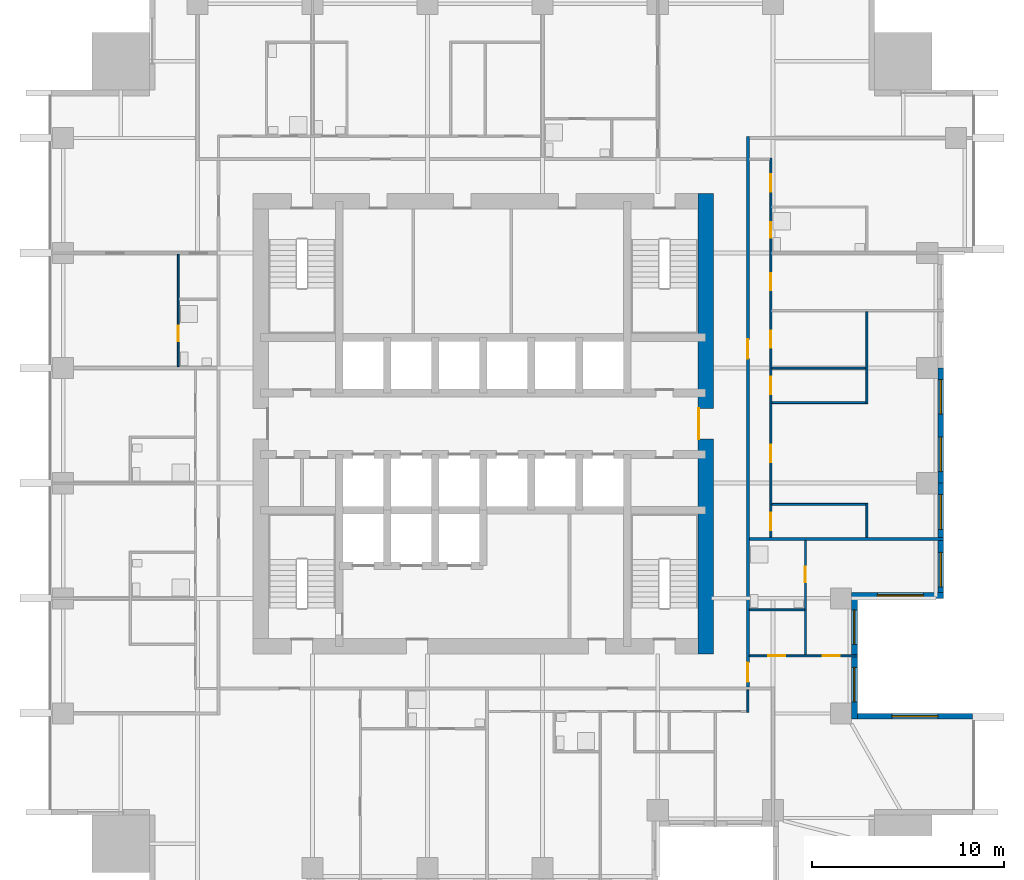
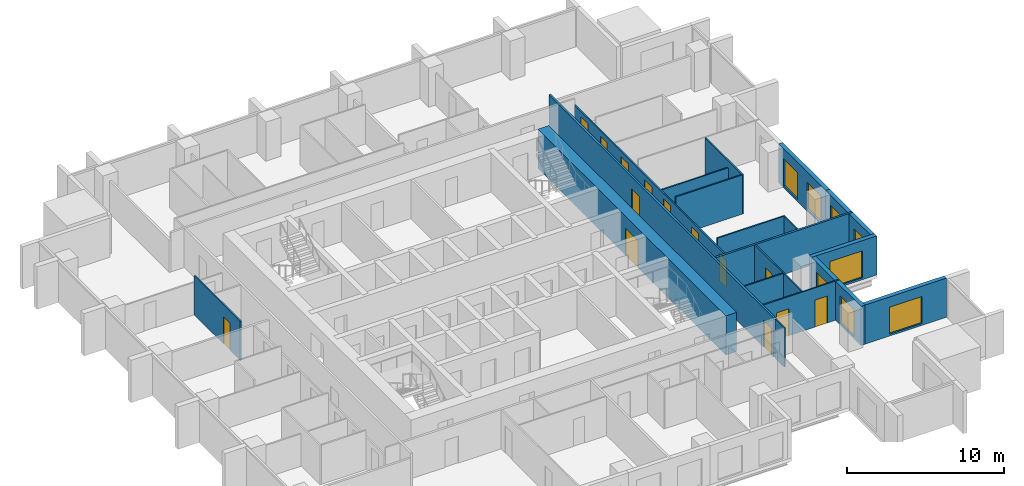
# One storey, part 6 of 10: 19 walls, 14 doors, 8 windows, 22 openings.
"""IFC4 building model written with IfcOpenShell, lengths in metres."""

from ifc_helpers import new_model, si_unit, direction, frame, frame_2d, origin, place, context, subcontext, project, spatial, rectangle, extrude, material, layer, layer_set, type_object, element, fill, save


model = new_model("IFC4")

# Units and contexts
model_context = context("Model", 3, precision=1e-05, world=origin(), true_north=direction((0.0, 1.0)))
body_context = subcontext(model_context, "Body", "Model", "MODEL_VIEW")
ifc_project = project(units=[si_unit("LENGTHUNIT", "METRE"), si_unit("AREAUNIT", "SQUARE_METRE"), si_unit("VOLUMEUNIT", "CUBIC_METRE"), si_unit("PLANEANGLEUNIT", "RADIAN"), si_unit("MASSUNIT", "GRAM", prefix="KILO")], contexts=[model_context])

# Site, building, storey
site_placement = place(None, origin())
site = spatial("IfcSite", under=ifc_project, at=site_placement, CompositionType="ELEMENT")
building_placement = place(site_placement, origin())
building = spatial("IfcBuilding", under=site, at=building_placement, Name="Amberfall Residences", CompositionType="ELEMENT")
storey_placement = place(building_placement, frame((0.0, 0.0, 82.0)))
storey = spatial("IfcBuildingStorey", under=building, at=storey_placement, Name="L21", CompositionType="ELEMENT", Elevation=82.0)

# Wall, opening, window
ifc_material_1 = material(Name="Pale stone cladding on insulated backing", Category="masonry")
ifc_layer_1 = layer(ifc_material_1, 0.300048828125)
ifc_layer_set_1 = layer_set([ifc_layer_1], Name="Bronze clad wall 300")
wall_type_1 = type_object("IfcWallType", Name="Bronze clad wall 300", PredefinedType="SOLIDWALL", material=ifc_layer_set_1)
wall_1_placement = place(storey_placement, frame((100.0, 30.25, 0.0), z_axis=(0.0, 0.0, 1.0), x_axis=(-1.0, 0.0, 0.0)))
wall_1 = element("IfcWall", 1, at=wall_1_placement, inside=storey, type_object=wall_type_1, Name="External wall L21 E", PredefinedType="SOLIDWALL", context=body_context, shape_type="SweptSolid", body=[
    extrude(rectangle(XDim=6.0, YDim=0.300048828125, at=frame_2d((3.0, 0.0))), origin(), (0.0, 0.0, 1.0), 3.050048828125),
])
opening_1_placement = place(wall_1_placement, frame((1.800048828125, 0.0, 0.14990234375)))
opening_1 = element("IfcOpeningElement", 2, at=opening_1_placement, cuts=wall_1, Name="Opening WN5", PredefinedType="OPENING", context=body_context, shape_type="SweptSolid", body=[
    extrude(rectangle(XDim=2.39990234375, YDim=2.10009765625, at=frame_2d((1.199951171875, 1.050048828125))), frame((0.0, 0.159912109375, 0.0), z_axis=(0.0, -1.0, 0.0), x_axis=(1.0, 0.0, 0.0)), (0.0, 0.0, 1.0), 0.320068359375),
])
ifc_material_2 = material(Name="Bronze aluminium framed glazing", Category="aluminium")
window_type_1 = type_object("IfcWindowType", Name="Glazed opening 2400 x 2100 bronze", PartitioningType="DOUBLE_PANEL_VERTICAL", PredefinedType="WINDOW", material=ifc_material_2)
window_1_placement = place(opening_1_placement, origin())
window_1 = element("IfcWindow", 3, at=window_1_placement, inside=storey, type_object=window_type_1, Name="Window L21 E", OverallHeight=2.10009765625, OverallWidth=2.39990234375, PartitioningType="DOUBLE_PANEL_VERTICAL", PredefinedType="WINDOW", context=body_context, shape_type="SweptSolid", body=[
    extrude(rectangle(XDim=2.39990234375, YDim=2.10009765625, at=frame_2d((1.199951171875, 1.050048828125))), frame((0.0, 0.030029296875, 0.0), z_axis=(0.0, -1.0, 0.0), x_axis=(1.0, 0.0, 0.0)), (0.0, 0.0, 1.0), 0.06005859375),
])
fill(opening_1, window_1)

wall_2_placement = place(storey_placement, frame((93.699951171875, 36.550048828125, 0.0), z_axis=(0.0, 0.0, 1.0), x_axis=(1.0, 0.0, 0.0)))
wall_2 = element("IfcWall", 4, at=wall_2_placement, inside=storey, type_object=wall_type_1, Name="External wall L21 E", PredefinedType="SOLIDWALL", context=body_context, shape_type="SweptSolid", body=[
    extrude(rectangle(XDim=4.800048828125, YDim=0.300048828125, at=frame_2d((2.39990234375, 0.0))), origin(), (0.0, 0.0, 1.0), 3.050048828125),
])
opening_2_placement = place(wall_2_placement, frame((1.35009765625, 0.0, 0.14990234375)))
opening_2 = element("IfcOpeningElement", 5, at=opening_2_placement, cuts=wall_2, Name="Opening WN5", PredefinedType="OPENING", context=body_context, shape_type="SweptSolid", body=[
    extrude(rectangle(XDim=2.39990234375, YDim=2.10009765625, at=frame_2d((1.199951171875, 1.050048828125))), frame((0.0, 0.159912109375, 0.0), z_axis=(0.0, -1.0, 0.0), x_axis=(1.0, 0.0, 0.0)), (0.0, 0.0, 1.0), 0.320068359375),
])
window_2_placement = place(opening_2_placement, origin())
window_2 = element("IfcWindow", 6, at=window_2_placement, inside=storey, type_object=window_type_1, Name="Window L21 E", OverallHeight=2.10009765625, OverallWidth=2.39990234375, PartitioningType="DOUBLE_PANEL_VERTICAL", PredefinedType="WINDOW", context=body_context, shape_type="SweptSolid", body=[
    extrude(rectangle(XDim=2.39990234375, YDim=2.10009765625, at=frame_2d((1.199951171875, 1.050048828125))), frame((0.0, 0.030029296875, 0.0), z_axis=(0.0, -1.0, 0.0), x_axis=(1.0, 0.0, 0.0)), (0.0, 0.0, 1.0), 0.06005859375),
])
fill(opening_2, window_2)

# Wall, openings, windows
wall_3_placement = place(storey_placement, frame((93.85009765625, 30.10009765625, 0.0), z_axis=(0.0, 0.0, 1.0), x_axis=(0.0, 1.0, 0.0)))
wall_3 = element("IfcWall", 7, at=wall_3_placement, inside=storey, type_object=wall_type_1, Name="Stone wall L21 E", PredefinedType="SOLIDWALL", context=body_context, shape_type="SweptSolid", body=[
    extrude(rectangle(XDim=6.2998046875, YDim=0.300048828125, at=frame_2d((3.14990234375, 0.0))), origin(), (0.0, 0.0, 1.0), 3.050048828125),
])
opening_3_placement = place(wall_3_placement, frame((0.89990234375, 0.0, 0.14990234375)))
opening_3 = element("IfcOpeningElement", 8, at=opening_3_placement, cuts=wall_3, Name="Opening WN6", PredefinedType="OPENING", context=body_context, shape_type="SweptSolid", body=[
    extrude(rectangle(XDim=1.800048828125, YDim=2.10009765625, at=frame_2d((0.89990234375, 1.050048828125))), frame((0.0, 0.159912109375, 0.0), z_axis=(0.0, -1.0, 0.0), x_axis=(1.0, 0.0, 0.0)), (0.0, 0.0, 1.0), 0.320068359375),
])
opening_4_placement = place(wall_3_placement, frame((3.89990234375, 0.0, 0.14990234375)))
opening_4 = element("IfcOpeningElement", 9, at=opening_4_placement, cuts=wall_3, Name="Opening WN6", PredefinedType="OPENING", context=body_context, shape_type="SweptSolid", body=[
    extrude(rectangle(XDim=1.800048828125, YDim=2.10009765625, at=frame_2d((0.89990234375, 1.050048828125))), frame((0.0, 0.159912109375, 0.0), z_axis=(0.0, -1.0, 0.0), x_axis=(1.0, 0.0, 0.0)), (0.0, 0.0, 1.0), 0.320068359375),
])
window_type_2 = type_object("IfcWindowType", Name="Glazed opening 1800 x 2100 bronze", PartitioningType="DOUBLE_PANEL_VERTICAL", PredefinedType="WINDOW", material=ifc_material_2)
window_3_placement = place(opening_3_placement, origin())
window_3 = element("IfcWindow", 10, at=window_3_placement, inside=storey, type_object=window_type_2, Name="Window L21 E", OverallHeight=2.10009765625, OverallWidth=1.800048828125, PartitioningType="DOUBLE_PANEL_VERTICAL", PredefinedType="WINDOW", context=body_context, shape_type="SweptSolid", body=[
    extrude(rectangle(XDim=1.800048828125, YDim=2.10009765625, at=frame_2d((0.89990234375, 1.050048828125))), frame((0.0, 0.030029296875, 0.0), z_axis=(0.0, -1.0, 0.0), x_axis=(1.0, 0.0, 0.0)), (0.0, 0.0, 1.0), 0.06005859375),
])
fill(opening_3, window_3)
window_4_placement = place(opening_4_placement, origin())
window_4 = element("IfcWindow", 11, at=window_4_placement, inside=storey, type_object=window_type_2, Name="Window L21 E", OverallHeight=2.10009765625, OverallWidth=1.800048828125, PartitioningType="DOUBLE_PANEL_VERTICAL", PredefinedType="WINDOW", context=body_context, shape_type="SweptSolid", body=[
    extrude(rectangle(XDim=1.800048828125, YDim=2.10009765625, at=frame_2d((0.89990234375, 1.050048828125))), frame((0.0, 0.030029296875, 0.0), z_axis=(0.0, -1.0, 0.0), x_axis=(1.0, 0.0, 0.0)), (0.0, 0.0, 1.0), 0.06005859375),
])
fill(opening_4, window_4)

wall_4_placement = place(storey_placement, frame((98.35009765625, 36.699951171875, 0.0), z_axis=(0.0, 0.0, 1.0), x_axis=(0.0, 1.0, 0.0)))
wall_4 = element("IfcWall", 12, at=wall_4_placement, inside=storey, type_object=wall_type_1, Name="Stone wall L21 E", PredefinedType="SOLIDWALL", context=body_context, shape_type="SweptSolid", body=[
    extrude(rectangle(XDim=5.699951171875, YDim=0.300048828125, at=frame_2d((2.85009765625, 0.0))), origin(), (0.0, 0.0, 1.0), 3.050048828125),
])
opening_5_placement = place(wall_4_placement, frame((0.300048828125, 0.0, 0.14990234375)))
opening_5 = element("IfcOpeningElement", 13, at=opening_5_placement, cuts=wall_4, Name="Opening WN6", PredefinedType="OPENING", context=body_context, shape_type="SweptSolid", body=[
    extrude(rectangle(XDim=1.800048828125, YDim=2.10009765625, at=frame_2d((0.89990234375, 1.050048828125))), frame((0.0, 0.159912109375, 0.0), z_axis=(0.0, -1.0, 0.0), x_axis=(1.0, 0.0, 0.0)), (0.0, 0.0, 1.0), 0.320068359375),
])
opening_6_placement = place(wall_4_placement, frame((3.300048828125, 0.0, 0.14990234375)))
opening_6 = element("IfcOpeningElement", 14, at=opening_6_placement, cuts=wall_4, Name="Opening WN6", PredefinedType="OPENING", context=body_context, shape_type="SweptSolid", body=[
    extrude(rectangle(XDim=1.800048828125, YDim=2.10009765625, at=frame_2d((0.89990234375, 1.050048828125))), frame((0.0, 0.159912109375, 0.0), z_axis=(0.0, -1.0, 0.0), x_axis=(1.0, 0.0, 0.0)), (0.0, 0.0, 1.0), 0.320068359375),
])
window_5_placement = place(opening_5_placement, origin())
window_5 = element("IfcWindow", 15, at=window_5_placement, inside=storey, type_object=window_type_2, Name="Window L21 E", OverallHeight=2.10009765625, OverallWidth=1.800048828125, PartitioningType="DOUBLE_PANEL_VERTICAL", PredefinedType="WINDOW", context=body_context, shape_type="SweptSolid", body=[
    extrude(rectangle(XDim=1.800048828125, YDim=2.10009765625, at=frame_2d((0.89990234375, 1.050048828125))), frame((0.0, 0.030029296875, 0.0), z_axis=(0.0, -1.0, 0.0), x_axis=(1.0, 0.0, 0.0)), (0.0, 0.0, 1.0), 0.06005859375),
])
fill(opening_5, window_5)
window_6_placement = place(opening_6_placement, origin())
window_6 = element("IfcWindow", 16, at=window_6_placement, inside=storey, type_object=window_type_2, Name="Window L21 E", OverallHeight=2.10009765625, OverallWidth=1.800048828125, PartitioningType="DOUBLE_PANEL_VERTICAL", PredefinedType="WINDOW", context=body_context, shape_type="SweptSolid", body=[
    extrude(rectangle(XDim=1.800048828125, YDim=2.10009765625, at=frame_2d((0.89990234375, 1.050048828125))), frame((0.0, 0.030029296875, 0.0), z_axis=(0.0, -1.0, 0.0), x_axis=(1.0, 0.0, 0.0)), (0.0, 0.0, 1.0), 0.06005859375),
])
fill(opening_6, window_6)

wall_5_placement = place(storey_placement, frame((98.35009765625, 42.39990234375, 0.0), z_axis=(0.0, 0.0, 1.0), x_axis=(0.0, 1.0, 0.0)))
wall_5 = element("IfcWall", 17, at=wall_5_placement, inside=storey, type_object=wall_type_1, Name="Stone wall L21 E", PredefinedType="SOLIDWALL", context=body_context, shape_type="SweptSolid", body=[
    extrude(rectangle(XDim=6.0, YDim=0.300048828125, at=frame_2d((3.0, 0.0))), origin(), (0.0, 0.0, 1.0), 3.050048828125),
])
opening_7_placement = place(wall_5_placement, frame((0.60009765625, 0.0, 0.14990234375)))
opening_7 = element("IfcOpeningElement", 18, at=opening_7_placement, cuts=wall_5, Name="Opening WN6", PredefinedType="OPENING", context=body_context, shape_type="SweptSolid", body=[
    extrude(rectangle(XDim=1.800048828125, YDim=2.10009765625, at=frame_2d((0.89990234375, 1.050048828125))), frame((0.0, 0.159912109375, 0.0), z_axis=(0.0, -1.0, 0.0), x_axis=(1.0, 0.0, 0.0)), (0.0, 0.0, 1.0), 0.320068359375),
])
opening_8_placement = place(wall_5_placement, frame((3.60009765625, 0.0, 0.14990234375)))
opening_8 = element("IfcOpeningElement", 19, at=opening_8_placement, cuts=wall_5, Name="Opening WN6", PredefinedType="OPENING", context=body_context, shape_type="SweptSolid", body=[
    extrude(rectangle(XDim=1.800048828125, YDim=2.10009765625, at=frame_2d((0.89990234375, 1.050048828125))), frame((0.0, 0.159912109375, 0.0), z_axis=(0.0, -1.0, 0.0), x_axis=(1.0, 0.0, 0.0)), (0.0, 0.0, 1.0), 0.320068359375),
])
window_7_placement = place(opening_7_placement, origin())
window_7 = element("IfcWindow", 20, at=window_7_placement, inside=storey, type_object=window_type_2, Name="Window L21 E", OverallHeight=2.10009765625, OverallWidth=1.800048828125, PartitioningType="DOUBLE_PANEL_VERTICAL", PredefinedType="WINDOW", context=body_context, shape_type="SweptSolid", body=[
    extrude(rectangle(XDim=1.800048828125, YDim=2.10009765625, at=frame_2d((0.89990234375, 1.050048828125))), frame((0.0, 0.030029296875, 0.0), z_axis=(0.0, -1.0, 0.0), x_axis=(1.0, 0.0, 0.0)), (0.0, 0.0, 1.0), 0.06005859375),
])
fill(opening_7, window_7)
window_8_placement = place(opening_8_placement, origin())
window_8 = element("IfcWindow", 21, at=window_8_placement, inside=storey, type_object=window_type_2, Name="Window L21 E", OverallHeight=2.10009765625, OverallWidth=1.800048828125, PartitioningType="DOUBLE_PANEL_VERTICAL", PredefinedType="WINDOW", context=body_context, shape_type="SweptSolid", body=[
    extrude(rectangle(XDim=1.800048828125, YDim=2.10009765625, at=frame_2d((0.89990234375, 1.050048828125))), frame((0.0, 0.030029296875, 0.0), z_axis=(0.0, -1.0, 0.0), x_axis=(1.0, 0.0, 0.0)), (0.0, 0.0, 1.0), 0.06005859375),
])
fill(opening_8, window_8)

# Wall, opening, door
ifc_material_3 = material(Name="Concrete C70", Category="concrete")
ifc_layer_2 = layer(ifc_material_3, 0.800048828125)
ifc_layer_set_2 = layer_set([ifc_layer_2], Name="Core wall 800 C70")
wall_type_2 = type_object("IfcWallType", Name="Core wall 800 C70", PredefinedType="SHEAR", material=ifc_layer_set_2)
wall_6_placement = place(storey_placement, frame((86.10009765625, 33.5, 0.0), z_axis=(0.0, 0.0, 1.0), x_axis=(0.0, 1.0, 0.0)))
wall_6 = element("IfcWall", 22, at=wall_6_placement, inside=storey, type_object=wall_type_2, Name="Core wall RW3 L21 OE", PredefinedType="SHEAR", context=body_context, shape_type="SweptSolid", body=[
    extrude(rectangle(XDim=24.0, YDim=0.800048828125, at=frame_2d((12.0, 0.0))), origin(), (0.0, 0.0, 1.0), 3.050048828125),
])
opening_9_placement = place(wall_6_placement, frame((11.199951171875, 0.0, 0.0)))
opening_9 = element("IfcOpeningElement", 23, at=opening_9_placement, cuts=wall_6, Name="Opening LB1", PredefinedType="OPENING", context=body_context, shape_type="SweptSolid", body=[
    extrude(rectangle(XDim=1.60009765625, YDim=2.10009765625, at=frame_2d((0.800048828125, 1.050048828125))), frame((0.0, 0.409912109375, 0.0), z_axis=(0.0, -1.0, 0.0), x_axis=(1.0, 0.0, 0.0)), (0.0, 0.0, 1.0), 0.820068359375),
])
ifc_material_4 = material(Name="Steel fire door set", Category="steel")
door_type_1 = type_object("IfcDoorType", Name="Lift lobby double door 1600 x 2100", OperationType="DOUBLE_DOOR_SINGLE_SWING", PredefinedType="DOOR", material=ifc_material_4)
door_1_placement = place(opening_9_placement, origin())
door_1 = element("IfcDoor", 24, at=door_1_placement, inside=storey, type_object=door_type_1, Name="LB1 L21", OperationType="DOUBLE_DOOR_SINGLE_SWING", OverallHeight=2.10009765625, OverallWidth=1.60009765625, PredefinedType="DOOR", context=body_context, shape_type="SweptSolid", body=[
    extrude(rectangle(XDim=1.60009765625, YDim=2.10009765625, at=frame_2d((0.800048828125, 1.050048828125))), frame((0.0, 0.3876953125, 0.0), z_axis=(0.0, -1.0, 0.0), x_axis=(1.0, 0.0, 0.0)), (0.0, 0.0, 1.0), 0.050048828125),
])
fill(opening_9, door_1)

ifc_material_5 = material(Name="Gypsum board on metal stud")
ifc_layer_3 = layer(ifc_material_5, 0.10009765625)
ifc_layer_set_3 = layer_set([ifc_layer_3], Name="Flat partition 100")
wall_type_3 = type_object("IfcWallType", Name="Flat partition 100", PredefinedType="PARTITIONING", material=ifc_layer_set_3)
wall_7_placement = place(storey_placement, frame((58.60009765625, 54.35009765625, 0.0), z_axis=(0.0, 0.0, 1.0), x_axis=(0.0, -1.0, 0.0)))
wall_7 = element("IfcWall", 25, at=wall_7_placement, inside=storey, type_object=wall_type_3, Name="Partition 003", PredefinedType="PARTITIONING", context=body_context, shape_type="SweptSolid", body=[
    extrude(rectangle(XDim=5.875, YDim=0.10009765625, at=frame_2d((2.9375, 0.0))), origin(), (0.0, 0.0, 1.0), 3.050048828125),
])
opening_10_placement = place(wall_7_placement, frame((3.75, 0.0, 0.0)))
opening_10 = element("IfcOpeningElement", 26, at=opening_10_placement, cuts=wall_7, Name="Opening D42", PredefinedType="OPENING", context=body_context, shape_type="SweptSolid", body=[
    extrude(rectangle(XDim=0.800048828125, YDim=2.10009765625, at=frame_2d((0.39990234375, 1.050048828125))), frame((0.0, 0.06005859375, 0.0), z_axis=(0.0, -1.0, 0.0), x_axis=(1.0, 0.0, 0.0)), (0.0, 0.0, 1.0), 0.1201171875),
])
ifc_material_6 = material(Name="Timber", Category="wood")
door_type_2 = type_object("IfcDoorType", Name="Bathroom door 800 x 2100", OperationType="SINGLE_SWING_LEFT", PredefinedType="DOOR", material=ifc_material_6)
door_2_placement = place(opening_10_placement, origin())
door_2 = element("IfcDoor", 27, at=door_2_placement, inside=storey, type_object=door_type_2, Name="Door 2108 bath1", OperationType="SINGLE_SWING_LEFT", OverallHeight=2.10009765625, OverallWidth=0.800048828125, PredefinedType="DOOR", context=body_context, shape_type="SweptSolid", body=[
    extrude(rectangle(XDim=0.800048828125, YDim=2.10009765625, at=frame_2d((0.39990234375, 1.050048828125))), frame((0.0, 0.02490234375, 0.0), z_axis=(0.0, -1.0, 0.0), x_axis=(1.0, 0.0, 0.0)), (0.0, 0.0, 1.0), 0.050048828125),
])
fill(opening_10, door_2)

# Wall
wall_8_placement = place(storey_placement, frame((88.300048828125, 30.449951171875, 0.0), z_axis=(0.0, 0.0, 1.0), x_axis=(0.0, 1.0, 0.0)))
element("IfcWall", 28, at=wall_8_placement, inside=storey, type_object=wall_type_3, Name="Partition 020", PredefinedType="PARTITIONING", context=body_context, shape_type="SweptSolid", body=[
    extrude(rectangle(XDim=1.175048828125, YDim=0.10009765625, at=frame_2d((0.58740234375, 0.0))), origin(), (0.0, 0.0, 1.0), 3.050048828125),
])

# Wall, openings, doors
wall_9_placement = place(storey_placement, frame((89.5, 59.35009765625, 0.0), z_axis=(0.0, 0.0, 1.0), x_axis=(0.0, -1.0, 0.0)))
wall_9 = element("IfcWall", 29, at=wall_9_placement, inside=storey, type_object=wall_type_3, Name="Partition 021", PredefinedType="PARTITIONING", context=body_context, shape_type="SweptSolid", body=[
    extrude(rectangle(XDim=19.775146484375, YDim=0.10009765625, at=frame_2d((9.8876953125, 0.0))), origin(), (0.0, 0.0, 1.0), 2.510009765625),
])
opening_11_placement = place(wall_9_placement, frame((14.949951171875, 0.0, 0.0)))
opening_11 = element("IfcOpeningElement", 30, at=opening_11_placement, cuts=wall_9, Name="Opening D41", PredefinedType="OPENING", context=body_context, shape_type="SweptSolid", body=[
    extrude(rectangle(XDim=0.89990234375, YDim=2.10009765625, at=frame_2d((0.449951171875, 1.050048828125))), frame((0.0, 0.06005859375, 0.0), z_axis=(0.0, -1.0, 0.0), x_axis=(1.0, 0.0, 0.0)), (0.0, 0.0, 1.0), 0.1201171875),
])
opening_12_placement = place(wall_9_placement, frame((9.0, 0.0, 0.0)))
opening_12 = element("IfcOpeningElement", 31, at=opening_12_placement, cuts=wall_9, Name="Opening D41", PredefinedType="OPENING", context=body_context, shape_type="SweptSolid", body=[
    extrude(rectangle(XDim=0.89990234375, YDim=2.10009765625, at=frame_2d((0.449951171875, 1.050048828125))), frame((0.0, 0.06005859375, 0.0), z_axis=(0.0, -1.0, 0.0), x_axis=(1.0, 0.0, 0.0)), (0.0, 0.0, 1.0), 0.1201171875),
])
opening_13_placement = place(wall_9_placement, frame((11.39990234375, 0.0, 0.0)))
opening_13 = element("IfcOpeningElement", 32, at=opening_13_placement, cuts=wall_9, Name="Opening D41", PredefinedType="OPENING", context=body_context, shape_type="SweptSolid", body=[
    extrude(rectangle(XDim=0.89990234375, YDim=2.10009765625, at=frame_2d((0.449951171875, 1.050048828125))), frame((0.0, 0.06005859375, 0.0), z_axis=(0.0, -1.0, 0.0), x_axis=(1.0, 0.0, 0.0)), (0.0, 0.0, 1.0), 0.1201171875),
])
opening_14_placement = place(wall_9_placement, frame((18.5, 0.0, 0.0)))
opening_14 = element("IfcOpeningElement", 33, at=opening_14_placement, cuts=wall_9, Name="Opening D41", PredefinedType="OPENING", context=body_context, shape_type="SweptSolid", body=[
    extrude(rectangle(XDim=0.89990234375, YDim=2.10009765625, at=frame_2d((0.449951171875, 1.050048828125))), frame((0.0, 0.06005859375, 0.0), z_axis=(0.0, -1.0, 0.0), x_axis=(1.0, 0.0, 0.0)), (0.0, 0.0, 1.0), 0.1201171875),
])
opening_15_placement = place(wall_9_placement, frame((6.0, 0.0, 0.0)))
opening_15 = element("IfcOpeningElement", 34, at=opening_15_placement, cuts=wall_9, Name="Opening D41", PredefinedType="OPENING", context=body_context, shape_type="SweptSolid", body=[
    extrude(rectangle(XDim=0.89990234375, YDim=2.10009765625, at=frame_2d((0.449951171875, 1.050048828125))), frame((0.0, 0.06005859375, 0.0), z_axis=(0.0, -1.0, 0.0), x_axis=(1.0, 0.0, 0.0)), (0.0, 0.0, 1.0), 0.1201171875),
])
opening_16_placement = place(wall_9_placement, frame((0.85009765625, 0.0, 0.0)))
opening_16 = element("IfcOpeningElement", 35, at=opening_16_placement, cuts=wall_9, Name="Opening D41", PredefinedType="OPENING", context=body_context, shape_type="SweptSolid", body=[
    extrude(rectangle(XDim=0.89990234375, YDim=2.10009765625, at=frame_2d((0.449951171875, 1.050048828125))), frame((0.0, 0.06005859375, 0.0), z_axis=(0.0, -1.0, 0.0), x_axis=(1.0, 0.0, 0.0)), (0.0, 0.0, 1.0), 0.1201171875),
])
opening_17_placement = place(wall_9_placement, frame((3.35009765625, 0.0, 0.0)))
opening_17 = element("IfcOpeningElement", 36, at=opening_17_placement, cuts=wall_9, Name="Opening D42", PredefinedType="OPENING", context=body_context, shape_type="SweptSolid", body=[
    extrude(rectangle(XDim=0.800048828125, YDim=2.10009765625, at=frame_2d((0.39990234375, 1.050048828125))), frame((0.0, 0.06005859375, 0.0), z_axis=(0.0, -1.0, 0.0), x_axis=(1.0, 0.0, 0.0)), (0.0, 0.0, 1.0), 0.1201171875),
])
door_3_placement = place(opening_17_placement, origin())
door_3 = element("IfcDoor", 37, at=door_3_placement, inside=storey, type_object=door_type_2, Name="Door 2104 bath1", OperationType="SINGLE_SWING_LEFT", OverallHeight=2.10009765625, OverallWidth=0.800048828125, PredefinedType="DOOR", context=body_context, shape_type="SweptSolid", body=[
    extrude(rectangle(XDim=0.800048828125, YDim=2.10009765625, at=frame_2d((0.39990234375, 1.050048828125))), frame((0.0, 0.02490234375, 0.0), z_axis=(0.0, -1.0, 0.0), x_axis=(1.0, 0.0, 0.0)), (0.0, 0.0, 1.0), 0.050048828125),
])
fill(opening_17, door_3)
door_type_3 = type_object("IfcDoorType", Name="Internal door 900 x 2100", OperationType="SINGLE_SWING_LEFT", PredefinedType="DOOR", material=ifc_material_6)
door_4_placement = place(opening_11_placement, origin())
door_4 = element("IfcDoor", 38, at=door_4_placement, inside=storey, type_object=door_type_3, Name="Door 2104 living", OperationType="SINGLE_SWING_LEFT", OverallHeight=2.10009765625, OverallWidth=0.89990234375, PredefinedType="DOOR", context=body_context, shape_type="SweptSolid", body=[
    extrude(rectangle(XDim=0.89990234375, YDim=2.10009765625, at=frame_2d((0.449951171875, 1.050048828125))), frame((0.0, 0.02490234375, 0.0), z_axis=(0.0, -1.0, 0.0), x_axis=(1.0, 0.0, 0.0)), (0.0, 0.0, 1.0), 0.050048828125),
])
fill(opening_11, door_4)
door_5_placement = place(opening_12_placement, origin())
door_5 = element("IfcDoor", 39, at=door_5_placement, inside=storey, type_object=door_type_3, Name="Door 2104 kitchen", OperationType="SINGLE_SWING_LEFT", OverallHeight=2.10009765625, OverallWidth=0.89990234375, PredefinedType="DOOR", context=body_context, shape_type="SweptSolid", body=[
    extrude(rectangle(XDim=0.89990234375, YDim=2.10009765625, at=frame_2d((0.449951171875, 1.050048828125))), frame((0.0, 0.02490234375, 0.0), z_axis=(0.0, -1.0, 0.0), x_axis=(1.0, 0.0, 0.0)), (0.0, 0.0, 1.0), 0.050048828125),
])
fill(opening_12, door_5)
door_6_placement = place(opening_13_placement, origin())
door_6 = element("IfcDoor", 40, at=door_6_placement, inside=storey, type_object=door_type_3, Name="Door 2104 utility", OperationType="SINGLE_SWING_LEFT", OverallHeight=2.10009765625, OverallWidth=0.89990234375, PredefinedType="DOOR", context=body_context, shape_type="SweptSolid", body=[
    extrude(rectangle(XDim=0.89990234375, YDim=2.10009765625, at=frame_2d((0.449951171875, 1.050048828125))), frame((0.0, 0.02490234375, 0.0), z_axis=(0.0, -1.0, 0.0), x_axis=(1.0, 0.0, 0.0)), (0.0, 0.0, 1.0), 0.050048828125),
])
fill(opening_13, door_6)
door_7_placement = place(opening_14_placement, origin())
door_7 = element("IfcDoor", 41, at=door_7_placement, inside=storey, type_object=door_type_3, Name="Door 2104 store", OperationType="SINGLE_SWING_LEFT", OverallHeight=2.10009765625, OverallWidth=0.89990234375, PredefinedType="DOOR", context=body_context, shape_type="SweptSolid", body=[
    extrude(rectangle(XDim=0.89990234375, YDim=2.10009765625, at=frame_2d((0.449951171875, 1.050048828125))), frame((0.0, 0.02490234375, 0.0), z_axis=(0.0, -1.0, 0.0), x_axis=(1.0, 0.0, 0.0)), (0.0, 0.0, 1.0), 0.050048828125),
])
fill(opening_14, door_7)
door_8_placement = place(opening_15_placement, origin())
door_8 = element("IfcDoor", 42, at=door_8_placement, inside=storey, type_object=door_type_3, Name="Door 2104 bedroom1", OperationType="SINGLE_SWING_LEFT", OverallHeight=2.10009765625, OverallWidth=0.89990234375, PredefinedType="DOOR", context=body_context, shape_type="SweptSolid", body=[
    extrude(rectangle(XDim=0.89990234375, YDim=2.10009765625, at=frame_2d((0.449951171875, 1.050048828125))), frame((0.0, 0.02490234375, 0.0), z_axis=(0.0, -1.0, 0.0), x_axis=(1.0, 0.0, 0.0)), (0.0, 0.0, 1.0), 0.050048828125),
])
fill(opening_15, door_8)
door_9_placement = place(opening_16_placement, origin())
door_9 = element("IfcDoor", 43, at=door_9_placement, inside=storey, type_object=door_type_3, Name="Door 2104 bedroom2", OperationType="SINGLE_SWING_LEFT", OverallHeight=2.10009765625, OverallWidth=0.89990234375, PredefinedType="DOOR", context=body_context, shape_type="SweptSolid", body=[
    extrude(rectangle(XDim=0.89990234375, YDim=2.10009765625, at=frame_2d((0.449951171875, 1.050048828125))), frame((0.0, 0.02490234375, 0.0), z_axis=(0.0, -1.0, 0.0), x_axis=(1.0, 0.0, 0.0)), (0.0, 0.0, 1.0), 0.050048828125),
])
fill(opening_16, door_9)

# Wall, opening, door
wall_10_placement = place(storey_placement, frame((91.300048828125, 33.449951171875, 0.0), z_axis=(0.0, 0.0, 1.0), x_axis=(0.0, 1.0, 0.0)))
wall_10 = element("IfcWall", 44, at=wall_10_placement, inside=storey, type_object=wall_type_3, Name="Partition 022", PredefinedType="PARTITIONING", context=body_context, shape_type="SweptSolid", body=[
    extrude(rectangle(XDim=5.97509765625, YDim=0.10009765625, at=frame_2d((2.987548828125, 0.0))), origin(), (0.0, 0.0, 1.0), 3.050048828125),
])
opening_18_placement = place(wall_10_placement, frame((3.800048828125, 0.0, 0.0)))
opening_18 = element("IfcOpeningElement", 45, at=opening_18_placement, cuts=wall_10, Name="Opening D42", PredefinedType="OPENING", context=body_context, shape_type="SweptSolid", body=[
    extrude(rectangle(XDim=0.800048828125, YDim=2.10009765625, at=frame_2d((0.39990234375, 1.050048828125))), frame((0.0, 0.06005859375, 0.0), z_axis=(0.0, -1.0, 0.0), x_axis=(1.0, 0.0, 0.0)), (0.0, 0.0, 1.0), 0.1201171875),
])
door_10_placement = place(opening_18_placement, origin())
door_10 = element("IfcDoor", 46, at=door_10_placement, inside=storey, type_object=door_type_2, Name="Door 2103 bath1", OperationType="SINGLE_SWING_LEFT", OverallHeight=2.10009765625, OverallWidth=0.800048828125, PredefinedType="DOOR", context=body_context, shape_type="SweptSolid", body=[
    extrude(rectangle(XDim=0.800048828125, YDim=2.10009765625, at=frame_2d((0.39990234375, 1.050048828125))), frame((0.0, 0.02490234375, 0.0), z_axis=(0.0, -1.0, 0.0), x_axis=(1.0, 0.0, 0.0)), (0.0, 0.0, 1.0), 0.050048828125),
])
fill(opening_18, door_10)

# Walls
wall_11_placement = place(storey_placement, frame((94.5, 39.574951171875, 0.0), z_axis=(0.0, 0.0, 1.0), x_axis=(0.0, 1.0, 0.0)))
element("IfcWall", 47, at=wall_11_placement, inside=storey, type_object=wall_type_3, Name="Partition 023", PredefinedType="PARTITIONING", context=body_context, shape_type="SweptSolid", body=[
    extrude(rectangle(XDim=1.775146484375, YDim=0.10009765625, at=frame_2d((0.8876953125, 0.0))), origin(), (0.0, 0.0, 1.0), 3.050048828125),
])
wall_12_placement = place(storey_placement, frame((94.5, 46.550048828125, 0.0), z_axis=(0.0, 0.0, 1.0), x_axis=(0.0, 1.0, 0.0)))
element("IfcWall", 48, at=wall_12_placement, inside=storey, type_object=wall_type_3, Name="Partition 024", PredefinedType="PARTITIONING", context=body_context, shape_type="SweptSolid", body=[
    extrude(rectangle(XDim=4.800048828125, YDim=0.10009765625, at=frame_2d((2.39990234375, 0.0))), origin(), (0.0, 0.0, 1.0), 3.050048828125),
])
wall_13_placement = place(storey_placement, frame((89.550048828125, 48.39990234375, 0.0), z_axis=(0.0, 0.0, 1.0), x_axis=(1.0, 0.0, 0.0)))
element("IfcWall", 49, at=wall_13_placement, inside=storey, type_object=wall_type_3, Name="Partition 036", PredefinedType="PARTITIONING", context=body_context, shape_type="SweptSolid", body=[
    extrude(rectangle(XDim=4.89990234375, YDim=0.10009765625, at=frame_2d((2.449951171875, 0.0))), origin(), (0.0, 0.0, 1.0), 2.51611328125),
])
for number, where, z_axis, x_axis, name in (
    (50, (89.550048828125, 46.60009765625, 0.0), (0.0, 0.0, 1.0), (1.0, 0.0, 0.0), "Partition 037"),
    (51, (89.550048828125, 41.300048828125, 0.0), (0.0, 0.0, 1.0), (1.0, 0.0, 0.0), "Partition 040"),
):
    element("IfcWall", number, at=place(storey_placement, frame(where, z_axis=z_axis, x_axis=x_axis)), inside=storey, type_object=wall_type_3, Name=name, PredefinedType="PARTITIONING", context=body_context, shape_type="SweptSolid", body=[
        extrude(rectangle(XDim=4.89990234375, YDim=0.10009765625, at=frame_2d((2.449951171875, 0.0))), origin(), (0.0, 0.0, 1.0), 3.050048828125),
    ])
wall_14_placement = place(storey_placement, frame((88.375, 35.800048828125, 0.0), z_axis=(0.0, 0.0, 1.0), x_axis=(1.0, 0.0, 0.0)))
element("IfcWall", 52, at=wall_14_placement, inside=storey, type_object=wall_type_3, Name="Partition 043", PredefinedType="PARTITIONING", context=body_context, shape_type="SweptSolid", body=[
    extrude(rectangle(XDim=2.875, YDim=0.10009765625, at=frame_2d((1.4375, 0.0))), origin(), (0.0, 0.0, 1.0), 3.050048828125),
])

# Wall, openings, doors
wall_15_placement = place(storey_placement, frame((88.375, 33.39990234375, 0.0), z_axis=(0.0, 0.0, 1.0), x_axis=(1.0, 0.0, 0.0)))
wall_15 = element("IfcWall", 53, at=wall_15_placement, inside=storey, type_object=wall_type_3, Name="Partition 045", PredefinedType="PARTITIONING", context=body_context, shape_type="SweptSolid", body=[
    extrude(rectangle(XDim=5.625, YDim=0.10009765625, at=frame_2d((2.8125, 0.0))), origin(), (0.0, 0.0, 1.0), 3.050048828125),
])
opening_19_placement = place(wall_15_placement, frame((0.97509765625, 0.0, 0.0)))
opening_19 = element("IfcOpeningElement", 54, at=opening_19_placement, cuts=wall_15, Name="Opening D41", PredefinedType="OPENING", context=body_context, shape_type="SweptSolid", body=[
    extrude(rectangle(XDim=0.89990234375, YDim=2.10009765625, at=frame_2d((0.449951171875, 1.050048828125))), frame((0.0, 0.06005859375, 0.0), z_axis=(0.0, -1.0, 0.0), x_axis=(1.0, 0.0, 0.0)), (0.0, 0.0, 1.0), 0.1201171875),
])
opening_20_placement = place(wall_15_placement, frame((3.824951171875, 0.0, 0.0)))
opening_20 = element("IfcOpeningElement", 55, at=opening_20_placement, cuts=wall_15, Name="Opening D41", PredefinedType="OPENING", context=body_context, shape_type="SweptSolid", body=[
    extrude(rectangle(XDim=0.89990234375, YDim=2.10009765625, at=frame_2d((0.449951171875, 1.050048828125))), frame((0.0, 0.06005859375, 0.0), z_axis=(0.0, -1.0, 0.0), x_axis=(1.0, 0.0, 0.0)), (0.0, 0.0, 1.0), 0.1201171875),
])
door_11_placement = place(opening_19_placement, origin())
door_11 = element("IfcDoor", 56, at=door_11_placement, inside=storey, type_object=door_type_3, Name="Door 2103 kitchen", OperationType="SINGLE_SWING_LEFT", OverallHeight=2.10009765625, OverallWidth=0.89990234375, PredefinedType="DOOR", context=body_context, shape_type="SweptSolid", body=[
    extrude(rectangle(XDim=0.89990234375, YDim=2.10009765625, at=frame_2d((0.449951171875, 1.050048828125))), frame((0.0, 0.02490234375, 0.0), z_axis=(0.0, -1.0, 0.0), x_axis=(1.0, 0.0, 0.0)), (0.0, 0.0, 1.0), 0.050048828125),
])
fill(opening_19, door_11)
door_12_placement = place(opening_20_placement, origin())
door_12 = element("IfcDoor", 57, at=door_12_placement, inside=storey, type_object=door_type_3, Name="Door 2103 bedroom1", OperationType="SINGLE_SWING_LEFT", OverallHeight=2.10009765625, OverallWidth=0.89990234375, PredefinedType="DOOR", context=body_context, shape_type="SweptSolid", body=[
    extrude(rectangle(XDim=0.89990234375, YDim=2.10009765625, at=frame_2d((0.449951171875, 1.050048828125))), frame((0.0, 0.02490234375, 0.0), z_axis=(0.0, -1.0, 0.0), x_axis=(1.0, 0.0, 0.0)), (0.0, 0.0, 1.0), 0.050048828125),
])
fill(opening_20, door_12)

ifc_material_7 = material(Name="Blockwork, plastered", Category="masonry")
ifc_layer_4 = layer(ifc_material_7, 0.14990234375)
ifc_layer_set_4 = layer_set([ifc_layer_4], Name="Flat separating wall 150")
wall_type_4 = type_object("IfcWallType", Name="Flat separating wall 150", PredefinedType="PARTITIONING", material=ifc_layer_set_4)
wall_16_placement = place(storey_placement, frame((88.300048828125, 60.47509765625, 0.0), z_axis=(0.0, 0.0, 1.0), x_axis=(0.0, -1.0, 0.0)))
wall_16 = element("IfcWall", 58, at=wall_16_placement, inside=storey, type_object=wall_type_4, Name="Separating wall 055", PredefinedType="PARTITIONING", context=body_context, shape_type="SweptSolid", body=[
    extrude(rectangle(XDim=28.7001953125, YDim=0.14990234375, at=frame_2d((14.35009765625, 0.0))), origin(), (0.0, 0.0, 1.0), 3.050048828125),
])
opening_21_placement = place(wall_16_placement, frame((27.425048828125, 0.0, 0.0)))
opening_21 = element("IfcOpeningElement", 59, at=opening_21_placement, cuts=wall_16, Name="Opening D40", PredefinedType="OPENING", context=body_context, shape_type="SweptSolid", body=[
    extrude(rectangle(XDim=1.0, YDim=2.10009765625, at=frame_2d((0.5, 1.050048828125))), frame((0.0, 0.0849609375, 0.0), z_axis=(0.0, -1.0, 0.0), x_axis=(1.0, 0.0, 0.0)), (0.0, 0.0, 1.0), 0.169921875),
])
opening_22_placement = place(wall_16_placement, frame((10.574951171875, 0.0, 0.0)))
opening_22 = element("IfcOpeningElement", 60, at=opening_22_placement, cuts=wall_16, Name="Opening D40", PredefinedType="OPENING", context=body_context, shape_type="SweptSolid", body=[
    extrude(rectangle(XDim=1.0, YDim=2.10009765625, at=frame_2d((0.5, 1.050048828125))), frame((0.0, 0.0849609375, 0.0), z_axis=(0.0, -1.0, 0.0), x_axis=(1.0, 0.0, 0.0)), (0.0, 0.0, 1.0), 0.169921875),
])
ifc_material_8 = material(Name="Timber, fire-rated", Category="wood")
door_type_4 = type_object("IfcDoorType", Name="Flat entrance door FD60 1000 x 2100", OperationType="SINGLE_SWING_LEFT", PredefinedType="DOOR", material=ifc_material_8)
door_13_placement = place(opening_21_placement, origin())
door_13 = element("IfcDoor", 61, at=door_13_placement, inside=storey, type_object=door_type_4, Name="Door 2103 entrance", OperationType="SINGLE_SWING_LEFT", OverallHeight=2.10009765625, OverallWidth=1.0, PredefinedType="DOOR", context=body_context, shape_type="SweptSolid", body=[
    extrude(rectangle(XDim=1.0, YDim=2.10009765625, at=frame_2d((0.5, 1.050048828125))), frame((0.0, 0.02490234375, 0.0), z_axis=(0.0, -1.0, 0.0), x_axis=(1.0, 0.0, 0.0)), (0.0, 0.0, 1.0), 0.050048828125),
])
fill(opening_21, door_13)
door_14_placement = place(opening_22_placement, origin())
door_14 = element("IfcDoor", 62, at=door_14_placement, inside=storey, type_object=door_type_4, Name="Door 2104 entrance", OperationType="SINGLE_SWING_LEFT", OverallHeight=2.10009765625, OverallWidth=1.0, PredefinedType="DOOR", context=body_context, shape_type="SweptSolid", body=[
    extrude(rectangle(XDim=1.0, YDim=2.10009765625, at=frame_2d((0.5, 1.050048828125))), frame((0.0, 0.02490234375, 0.0), z_axis=(0.0, -1.0, 0.0), x_axis=(1.0, 0.0, 0.0)), (0.0, 0.0, 1.0), 0.050048828125),
])
fill(opening_22, door_14)

# Wall
wall_17_placement = place(storey_placement, frame((88.375, 39.5, 0.0), z_axis=(0.0, 0.0, 1.0), x_axis=(1.0, 0.0, 0.0)))
element("IfcWall", 63, at=wall_17_placement, inside=storey, type_object=wall_type_4, Name="Separating wall 060", PredefinedType="PARTITIONING", context=body_context, shape_type="SweptSolid", body=[
    extrude(rectangle(XDim=10.125, YDim=0.14990234375, at=frame_2d((5.0625, 0.0))), origin(), (0.0, 0.0, 1.0), 3.050048828125),
])

save(model, "model.ifc")
